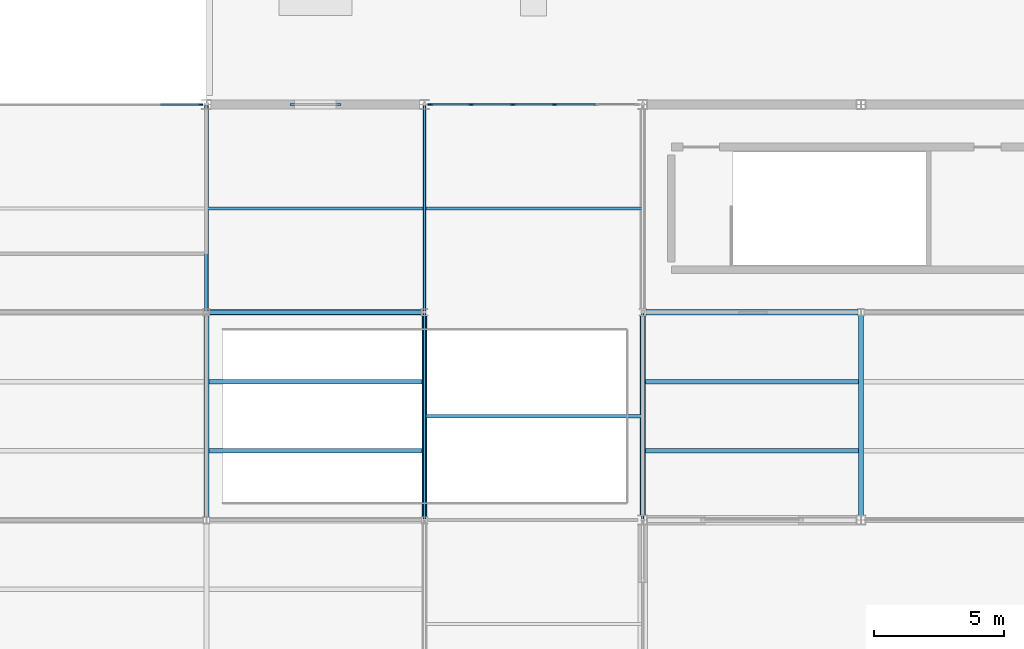
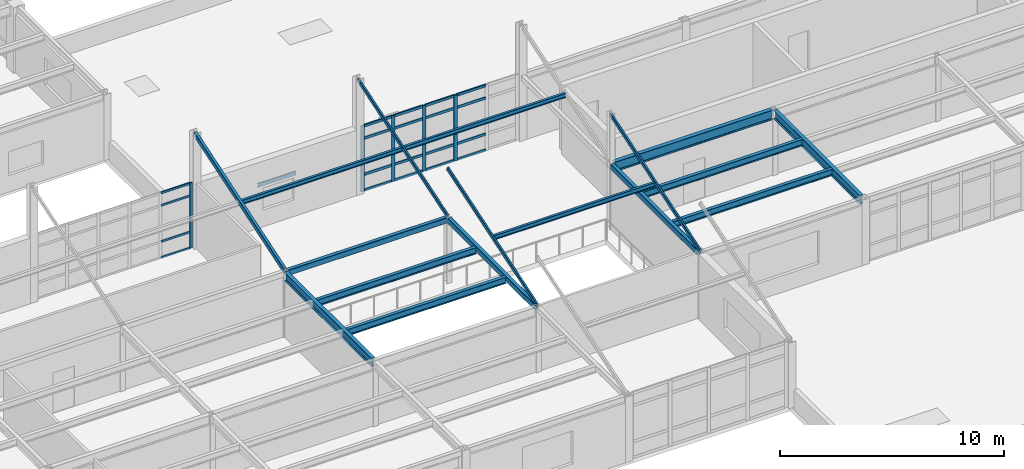
# One storey, part 15 of 96: 32 members, 11 beams, 2 elements without a shape of their own.
"""IFC4 building model written with IfcOpenShell, lengths in metres."""

import ifcopenshell
import ifcopenshell.guid

model = None  # the IFC model being written
_history = None  # IfcOwnerHistory: only IFC2X3 demands one
_inside = {}  # id of a spatial element -> (the spatial element, [elements in it])
_under = {}  # id of a project, library or spatial element -> (it, [spatial elements below it])
_declared = {}  # id of a project -> (the project, [libraries it declares])
_typed = {}  # id of a type object -> (the type object, [elements of that type])
_made_of = {}  # id of a material, layer set ... -> (it, [elements and type objects made of it])


def new_model(schema):
    """Start an empty IFC model of exactly this schema.

    Asked for "IFC4X3", IfcOpenShell would pick the latest addendum, in which some entities
    have other attributes; the version numbers below select the first issue.
    IFC2X3 requires an IfcOwnerHistory on every rooted entity: one is made here for all.
    """
    global model, _history
    if schema == "IFC4X3":
        model = ifcopenshell.file(schema_version=(4, 3, 0, 0))
    else:
        model = ifcopenshell.file(schema=schema)
    _inside.clear()
    _under.clear()
    _declared.clear()
    _typed.clear()
    _made_of.clear()
    _history = None
    if model.schema == "IFC2X3":
        org = make("IfcOrganization", Name="unknown")
        user = make(
            "IfcPersonAndOrganization",
            ThePerson=make("IfcPerson", FamilyName="unknown"),
            TheOrganization=org,
        )
        app = make(
            "IfcApplication",
            ApplicationDeveloper=org,
            Version="unknown",
            ApplicationFullName="unknown",
            ApplicationIdentifier="unknown",
        )
        _history = make(
            "IfcOwnerHistory",
            OwningUser=user,
            OwningApplication=app,
            ChangeAction="ADDED",
            CreationDate=0,
        )
    return model


def make(cls, **values):
    """One entity of the class cls with the attributes given. An attribute that is None is left unset."""
    return model.create_entity(
        cls, **{name: value for name, value in values.items() if value is not None}
    )


def rooted(cls, **values):
    """An entity with a GlobalId (a new one), such as an element, a storey or a relation."""
    return make(cls, GlobalId=ifcopenshell.guid.new(), OwnerHistory=_history, **values)


def si_unit(unit_type, name, prefix=None):
    """IfcSIUnit, for example si_unit("LENGTHUNIT", "METRE", prefix="MILLI")."""
    return make("IfcSIUnit", UnitType=unit_type, Prefix=prefix, Name=name)


def assignment(units):
    """IfcUnitAssignment: the units of a project."""
    return None if units is None else make("IfcUnitAssignment", Units=units)


def point(xyz):
    """IfcCartesianPoint."""
    return None if xyz is None else make("IfcCartesianPoint", Coordinates=xyz)


def direction(xyz):
    """IfcDirection."""
    return None if xyz is None else make("IfcDirection", DirectionRatios=xyz)


def frame(location, z_axis=None, x_axis=None):
    """IfcAxis2Placement3D, a coordinate frame: its origin and axes. An axis left out is left unset."""
    return make(
        "IfcAxis2Placement3D",
        Location=point(location),
        Axis=direction(z_axis),
        RefDirection=direction(x_axis),
    )


def frame_2d(location, x_axis=None):
    """IfcAxis2Placement2D, a coordinate frame in the plane: its origin and x axis."""
    return make(
        "IfcAxis2Placement2D", Location=point(location), RefDirection=direction(x_axis)
    )


def origin():
    """The frame at (0, 0, 0) with its axes left unset."""
    return frame((0.0, 0.0, 0.0))


def origin_2d():
    """The frame at (0, 0) in the plane with its x axis left unset."""
    return frame_2d((0.0, 0.0))


def place(relative_to, where):
    """IfcLocalPlacement: puts the frame where relative to a parent placement (None: the world)."""
    return make(
        "IfcLocalPlacement", PlacementRelTo=relative_to, RelativePlacement=where
    )


def context(
    kind, dimensions, precision=None, world=None, true_north=None, identifier=None
):
    """IfcGeometricRepresentationContext, for example the 3D "Model" context."""
    return make(
        "IfcGeometricRepresentationContext",
        ContextIdentifier=identifier,
        ContextType=kind,
        CoordinateSpaceDimension=dimensions,
        Precision=precision,
        WorldCoordinateSystem=world,
        TrueNorth=true_north,
    )


def subcontext(parent, identifier, kind, view, scale=None):
    """IfcGeometricRepresentationSubContext, for example "Body" below "Model"."""
    return make(
        "IfcGeometricRepresentationSubContext",
        ContextIdentifier=identifier,
        ContextType=kind,
        ParentContext=parent,
        TargetScale=scale,
        TargetView=view,
    )


def project(units=None, contexts=None):
    """IfcProject with its units and contexts."""
    return rooted(
        "IfcProject",
        Name="project",
        RepresentationContexts=contexts,
        UnitsInContext=assignment(units),
    )


def spatial(cls, under=None, at=None, **own):
    """A site, building, storey or space (cls), placed at a placement, below another one or the project."""
    s = rooted(cls, ObjectPlacement=at, **own)
    if under is not None:
        _under.setdefault(under.id(), (under, []))[1].append(s)
    return s


def profile(cls, at=None, kind="AREA", **sizes):
    """A parametric profile (cls). Its sizes go by their IFC names, for example OverallWidth=200.0."""
    return make(cls, ProfileType=kind, Position=at, **sizes)


def rectangle(**sizes):
    """IfcRectangleProfileDef."""
    return profile("IfcRectangleProfileDef", **sizes)


def hollow_rectangle(**sizes):
    """IfcRectangleHollowProfileDef."""
    return profile("IfcRectangleHollowProfileDef", **sizes)


def i_section(**sizes):
    """IfcIShapeProfileDef."""
    return profile("IfcIShapeProfileDef", **sizes)


def u_section(**sizes):
    """IfcUShapeProfileDef."""
    return profile("IfcUShapeProfileDef", **sizes)


def extrude(swept, where, along, depth):
    """IfcExtrudedAreaSolid: the profile swept, set in the frame where, extruded along a direction by depth."""
    return make(
        "IfcExtrudedAreaSolid",
        SweptArea=swept,
        Position=where,
        ExtrudedDirection=direction(along),
        Depth=depth,
    )


def shape(context_of_items, identifier, shape_type, items):
    """IfcShapeRepresentation: the items that make up one representation, for example the "Body"."""
    return make(
        "IfcShapeRepresentation",
        ContextOfItems=context_of_items,
        RepresentationIdentifier=identifier,
        RepresentationType=shape_type,
        Items=items,
    )


def material(Name=None, Category=None):
    """IfcMaterial."""
    return make("IfcMaterial", Name=Name, Category=Category)


def layer(
    of_material, thickness, ventilated=None, Name=None, Category=None, Priority=None
):
    """IfcMaterialLayer: one layer of a wall or slab, of a material (None: an air gap)."""
    return make(
        "IfcMaterialLayer",
        Material=of_material,
        LayerThickness=thickness,
        IsVentilated=ventilated,
        Name=Name,
        Category=Category,
        Priority=Priority,
    )


def layer_set(layers, Name=None):
    """IfcMaterialLayerSet."""
    return make("IfcMaterialLayerSet", MaterialLayers=layers, LayerSetName=Name)


def material_profile(
    of_material, cross_section, Name=None, Category=None, Priority=None
):
    """IfcMaterialProfile: a cross section and its material."""
    return make(
        "IfcMaterialProfile",
        Name=Name,
        Material=of_material,
        Profile=cross_section,
        Priority=Priority,
        Category=Category,
    )


def profile_set(profiles, Name=None, composite=None):
    """IfcMaterialProfileSet."""
    return make(
        "IfcMaterialProfileSet",
        Name=Name,
        MaterialProfiles=profiles,
        CompositeProfile=composite,
    )


def made_of(thing, what):
    """Note that an element or type object is made of a material, layer set ...; save() writes the relation."""
    if what is not None:
        _made_of.setdefault(what.id(), (what, []))[1].append(thing)
    return thing


def type_object(cls, material=None, **own):
    """A type object (cls), such as IfcWallType, which elements share."""
    return made_of(rooted(cls, **own), material)


def element(
    cls,
    number,
    at=None,
    inside=None,
    cuts=None,
    type_object=None,
    material=None,
    context=None,
    identifier="Body",
    shape_type=None,
    held_by="IfcProductDefinitionShape",
    body=None,
    shapes=None,
    **own,
):
    """One element of the class cls, such as IfcWall. Its Tag is "e" and its number.

    at: its placement. inside: the storey or other place that contains it. cuts: it is an
    opening in that element (IfcRelVoidsElement). A single representation is given by context,
    identifier, shape_type and body (its items); several are given by shapes. held_by: the class
    of the entity that holds the representations. save() writes the other relations.
    """
    e = rooted(cls, Tag="e%d" % number, ObjectPlacement=at, **own)
    if body is not None:
        shapes = [shape(context, identifier, shape_type, body)]
    if shapes is not None:
        e.Representation = make(held_by, Representations=shapes)
    if inside is not None:
        _inside.setdefault(inside.id(), (inside, []))[1].append(e)
    if cuts is not None:
        rooted(
            "IfcRelVoidsElement", RelatingBuildingElement=cuts, RelatedOpeningElement=e
        )
    if type_object is not None:
        _typed.setdefault(type_object.id(), (type_object, []))[1].append(e)
    return made_of(e, material)


def aggregate(whole, parts):
    """IfcRelAggregates: a whole, such as a stair, and the parts it consists of."""
    return rooted("IfcRelAggregates", RelatingObject=whole, RelatedObjects=parts)


def save(model, path):
    """Write the relations noted so far, then the file.

    IfcRelAggregates (storeys below a building ...), IfcRelContainedInSpatialStructure (elements
    in a storey), IfcRelDefinesByType, IfcRelAssociatesMaterial and IfcRelDeclares: one each for
    every whole, place, type object, material and project.
    """
    for whole, parts in _under.values():
        aggregate(whole, parts)
    for where, things in _inside.values():
        rooted(
            "IfcRelContainedInSpatialStructure",
            RelatedElements=things,
            RelatingStructure=where,
        )
    for kind, things in _typed.values():
        rooted("IfcRelDefinesByType", RelatedObjects=things, RelatingType=kind)
    for what, things in _made_of.values():
        rooted("IfcRelAssociatesMaterial", RelatedObjects=things, RelatingMaterial=what)
    for by, libraries in _declared.values():
        rooted("IfcRelDeclares", RelatingContext=by, RelatedDefinitions=libraries)
    model.write(path)


model = new_model("IFC4")

# Units and contexts
model_context = context("Model", 3, precision=1e-05, world=origin(), true_north=direction((0.0, 1.0)))
body_context = subcontext(model_context, "Body", "Model", "MODEL_VIEW")
ifc_project = project(units=[si_unit("LENGTHUNIT", "METRE"), si_unit("AREAUNIT", "SQUARE_METRE"), si_unit("VOLUMEUNIT", "CUBIC_METRE"), si_unit("PLANEANGLEUNIT", "RADIAN"), si_unit("MASSUNIT", "GRAM", prefix="KILO")], contexts=[model_context])

# Site, building, storey
site_placement = place(None, origin())
site = spatial("IfcSite", under=ifc_project, at=site_placement, CompositionType="ELEMENT")
building_placement = place(site_placement, origin())
building = spatial("IfcBuilding", under=site, at=building_placement, Name="Kranzveld Transit Interchange", CompositionType="ELEMENT")
storey_placement = place(building_placement, frame((0.0, 0.0, 9.52001953125)))
storey = spatial("IfcBuildingStorey", under=building, at=storey_placement, Name="L02", CompositionType="ELEMENT", Elevation=9.52001953125)

# Beams
ifc_material_1 = material(Name="Steel S355JR", Category="steel")
ifc_material_profile_1 = material_profile(ifc_material_1, i_section(OverallWidth=0.19189453125, OverallDepth=0.46337890625, WebThickness=0.010498046875, FlangeThickness=0.017578125, FilletRadius=0.01025390625, at=origin_2d()), Name="UB 457x191x89")
ifc_profile_set_1 = profile_set([ifc_material_profile_1], Name="Steel S355JR")
beam_type_1 = type_object("IfcBeamType", Name="Beam Steel UB 457x191x89 S355JR", PredefinedType="BEAM", material=ifc_profile_set_1)
beam_1_placement = place(storey_placement, frame((33.60009765625, 24.123291015625, 3.33837890625), z_axis=(0.0, 1.0, 0.0), x_axis=(-1.0, 0.0, 0.0)))
element("IfcBeam", 1, at=beam_1_placement, inside=storey, type_object=beam_type_1, Name="L02 Girder 05/D-E", PredefinedType="BEAM", context=body_context, shape_type="SweptSolid", body=[
    extrude(i_section(OverallWidth=0.19189453125, OverallDepth=0.46337890625, WebThickness=0.010498046875, FlangeThickness=0.017578125, FilletRadius=0.01025390625, at=origin_2d()), origin(), (0.0, 0.0, 1.0), 7.75341796875),
])
beam_2_placement = place(storey_placement, frame((58.800048828125, 24.17724609375, 3.33837890625), z_axis=(0.0, 1.0, 0.0), x_axis=(-1.0, 0.0, 0.0)))
element("IfcBeam", 2, at=beam_2_placement, inside=storey, type_object=beam_type_1, Name="L02 Girder 08/D-E", PredefinedType="BEAM", context=body_context, shape_type="SweptSolid", body=[
    extrude(i_section(OverallWidth=0.19189453125, OverallDepth=0.46337890625, WebThickness=0.010498046875, FlangeThickness=0.017578125, FilletRadius=0.01025390625, at=origin_2d()), origin(), (0.0, 0.0, 1.0), 7.699462890625),
])

# Curtain wall, member
ifc_material_2 = material(Name="Bronze-anodised thermally broken aluminium", Category="aluminium")
ifc_layer_1 = layer(ifc_material_2, 0.14990234375)
ifc_layer_set_1 = layer_set([ifc_layer_1], Name="Bronze-anodised thermally broken aluminium")
curtain_wall_type_1 = type_object("IfcCurtainWallType", Name="Public Passage Clerestory Screen CW-4", PredefinedType="USERDEFINED", material=ifc_layer_set_1)
curtain_wall_1_placement = place(storey_placement, origin())
curtain_wall_1 = element("IfcCurtainWall", 3, at=curtain_wall_1_placement, inside=storey, type_object=curtain_wall_type_1, Name="L02 Curtain Wall 04/F-05/F", ObjectType="CURTAIN WALL", PredefinedType="USERDEFINED")
ifc_material_3 = material(Name="Bronze-anodised thermally broken aluminium", Category="aluminium")
ifc_material_profile_2 = material_profile(ifc_material_3, rectangle(XDim=0.06005859375, YDim=0.14990234375, at=origin_2d()), Name="ALU MULLION 60x150")
ifc_profile_set_2 = profile_set([ifc_material_profile_2], Name="Bronze-anodised thermally broken aluminium")
member_type_1 = type_object("IfcMemberType", Name="Curtain Wall Mullion 60x150 Alu", PredefinedType="MULLION", material=ifc_profile_set_2)
member_1_placement = place(storey_placement, frame((33.3828125, 40.0, 0.0), z_axis=(0.0, 0.0, 1.0), x_axis=(0.0, 1.0, 0.0)))
member_1 = element("IfcMember", 4, at=member_1_placement, type_object=member_type_1, Name="CW-4 mullion 6", PredefinedType="MULLION", context=body_context, shape_type="SweptSolid", body=[
    extrude(rectangle(XDim=0.06005859375, YDim=0.14990234375, at=origin_2d()), origin(), (0.0, 0.0, 1.0), 3.570068359375),
])

# Curtain wall, members
ifc_material_4 = material(Name="Bronze-anodised thermally broken aluminium", Category="aluminium")
ifc_layer_2 = layer(ifc_material_4, 0.18505859375)
ifc_layer_set_2 = layer_set([ifc_layer_2], Name="Bronze-anodised thermally broken aluminium")
curtain_wall_type_2 = type_object("IfcCurtainWallType", Name="Control Crown Observation Facade CW-5", PredefinedType="USERDEFINED", material=ifc_layer_set_2)
curtain_wall_2_placement = place(storey_placement, origin())
curtain_wall_2 = element("IfcCurtainWall", 5, at=curtain_wall_2_placement, inside=storey, type_object=curtain_wall_type_2, Name="L02 Curtain Wall 06/F-07/F", ObjectType="CURTAIN WALL", PredefinedType="USERDEFINED")
ifc_material_5 = material(Name="Bronze-anodised thermally broken aluminium", Category="aluminium")
ifc_material_profile_3 = material_profile(ifc_material_5, rectangle(XDim=0.06494140625, YDim=0.179931640625, at=origin_2d()), Name="ALU MULLION 65x180")
ifc_profile_set_3 = profile_set([ifc_material_profile_3], Name="Bronze-anodised thermally broken aluminium")
member_type_2 = type_object("IfcMemberType", Name="Curtain Wall Mullion 65x180 Alu", PredefinedType="MULLION", material=ifc_profile_set_3)
member_2_placement = place(storey_placement, frame((42.2197265625, 40.0, 0.0), z_axis=(0.0, 0.0, 1.0), x_axis=(0.0, 1.0, 0.0)))
member_2 = element("IfcMember", 6, at=member_2_placement, type_object=member_type_2, Name="CW-5 mullion 1", PredefinedType="MULLION", context=body_context, shape_type="SweptSolid", body=[
    extrude(rectangle(XDim=0.06494140625, YDim=0.179931640625, at=origin_2d()), origin(), (0.0, 0.0, 1.0), 3.570068359375),
])
member_3_placement = place(storey_placement, frame((43.79248046875, 40.0, 0.0), z_axis=(0.0, 0.0, 1.0), x_axis=(0.0, 1.0, 0.0)))
member_3 = element("IfcMember", 7, at=member_3_placement, type_object=member_type_2, Name="CW-5 mullion 2", PredefinedType="MULLION", context=body_context, shape_type="SweptSolid", body=[
    extrude(rectangle(XDim=0.06494140625, YDim=0.179931640625, at=origin_2d()), origin(), (0.0, 0.0, 1.0), 3.570068359375),
])
member_4_placement = place(storey_placement, frame((45.3974609375, 40.0, 0.0), z_axis=(0.0, 0.0, 1.0), x_axis=(0.0, 1.0, 0.0)))
member_4 = element("IfcMember", 8, at=member_4_placement, type_object=member_type_2, Name="CW-5 mullion 3", PredefinedType="MULLION", context=body_context, shape_type="SweptSolid", body=[
    extrude(rectangle(XDim=0.06494140625, YDim=0.179931640625, at=origin_2d()), origin(), (0.0, 0.0, 1.0), 3.570068359375),
])
member_5_placement = place(storey_placement, frame((47.00244140625, 40.0, 0.0), z_axis=(0.0, 0.0, 1.0), x_axis=(0.0, 1.0, 0.0)))
member_5 = element("IfcMember", 9, at=member_5_placement, type_object=member_type_2, Name="CW-5 mullion 4", PredefinedType="MULLION", context=body_context, shape_type="SweptSolid", body=[
    extrude(rectangle(XDim=0.06494140625, YDim=0.179931640625, at=origin_2d()), origin(), (0.0, 0.0, 1.0), 3.570068359375),
])

# Member
ifc_material_6 = material(Name="Bronze-anodised thermally broken aluminium", Category="aluminium")
ifc_material_profile_4 = material_profile(ifc_material_6, rectangle(XDim=0.06005859375, YDim=0.110107421875, at=origin_2d()), Name="ALU TRANSOM 60x110")
ifc_profile_set_4 = profile_set([ifc_material_profile_4], Name="Bronze-anodised thermally broken aluminium")
member_type_3 = type_object("IfcMemberType", Name="Curtain Wall Transom 60x110 Alu", PredefinedType="USERDEFINED", material=ifc_profile_set_4)
member_6_placement = place(storey_placement, frame((31.837646484375, 40.0, 0.030029296875), z_axis=(1.0, 0.0, 0.0), x_axis=(0.0, 1.0, 0.0)))
member_6 = element("IfcMember", 10, at=member_6_placement, type_object=member_type_3, Name="CW-4 transom 5.1", ObjectType="TRANSOM", PredefinedType="USERDEFINED", context=body_context, shape_type="SweptSolid", body=[
    extrude(rectangle(XDim=0.06005859375, YDim=0.110107421875, at=origin_2d()), origin(), (0.0, 0.0, 1.0), 1.51513671875),
])

member_7_placement = place(storey_placement, frame((31.837646484375, 40.0, 0.89990234375), z_axis=(1.0, 0.0, 0.0), x_axis=(0.0, 1.0, 0.0)))
member_7 = element("IfcMember", 11, at=member_7_placement, type_object=member_type_3, Name="CW-4 transom 5.2", ObjectType="TRANSOM", PredefinedType="USERDEFINED", context=body_context, shape_type="SweptSolid", body=[
    extrude(rectangle(XDim=0.06005859375, YDim=0.110107421875, at=origin_2d()), origin(), (0.0, 0.0, 1.0), 1.51513671875),
])

member_8_placement = place(storey_placement, frame((31.837646484375, 40.0, 2.869873046875), z_axis=(1.0, 0.0, 0.0), x_axis=(0.0, 1.0, 0.0)))
member_8 = element("IfcMember", 12, at=member_8_placement, type_object=member_type_3, Name="CW-4 transom 5.3", ObjectType="TRANSOM", PredefinedType="USERDEFINED", context=body_context, shape_type="SweptSolid", body=[
    extrude(rectangle(XDim=0.06005859375, YDim=0.110107421875, at=origin_2d()), origin(), (0.0, 0.0, 1.0), 1.51513671875),
])

member_9_placement = place(storey_placement, frame((31.837646484375, 40.0, 3.5400390625), z_axis=(1.0, 0.0, 0.0), x_axis=(0.0, 1.0, 0.0)))
member_9 = element("IfcMember", 13, at=member_9_placement, type_object=member_type_3, Name="CW-4 transom 5.4", ObjectType="TRANSOM", PredefinedType="USERDEFINED", context=body_context, shape_type="SweptSolid", body=[
    extrude(rectangle(XDim=0.06005859375, YDim=0.110107421875, at=origin_2d()), origin(), (0.0, 0.0, 1.0), 1.51513671875),
])

aggregate(curtain_wall_1, [member_1, member_6, member_7, member_8, member_9])

ifc_material_7 = material(Name="Bronze-anodised thermally broken aluminium", Category="aluminium")
ifc_material_profile_5 = material_profile(ifc_material_7, rectangle(XDim=0.06494140625, YDim=0.139892578125, at=origin_2d()), Name="ALU TRANSOM 65x140")
ifc_profile_set_5 = profile_set([ifc_material_profile_5], Name="Bronze-anodised thermally broken aluminium")
member_type_4 = type_object("IfcMemberType", Name="Curtain Wall Transom 65x140 Alu", PredefinedType="USERDEFINED", material=ifc_profile_set_5)
member_10_placement = place(storey_placement, frame((42.252197265625, 40.0, 0.032470703125), z_axis=(1.0, 0.0, 0.0), x_axis=(0.0, 1.0, 0.0)))
member_10 = element("IfcMember", 14, at=member_10_placement, type_object=member_type_4, Name="CW-5 transom 1.1", ObjectType="TRANSOM", PredefinedType="USERDEFINED", context=body_context, shape_type="SweptSolid", body=[
    extrude(rectangle(XDim=0.06494140625, YDim=0.139892578125, at=origin_2d()), origin(), (0.0, 0.0, 1.0), 1.507568359375),
])

member_11_placement = place(storey_placement, frame((42.252197265625, 40.0, 0.89990234375), z_axis=(1.0, 0.0, 0.0), x_axis=(0.0, 1.0, 0.0)))
member_11 = element("IfcMember", 15, at=member_11_placement, type_object=member_type_4, Name="CW-5 transom 1.2", ObjectType="TRANSOM", PredefinedType="USERDEFINED", context=body_context, shape_type="SweptSolid", body=[
    extrude(rectangle(XDim=0.06494140625, YDim=0.139892578125, at=origin_2d()), origin(), (0.0, 0.0, 1.0), 1.507568359375),
])

member_12_placement = place(storey_placement, frame((42.252197265625, 40.0, 2.869873046875), z_axis=(1.0, 0.0, 0.0), x_axis=(0.0, 1.0, 0.0)))
member_12 = element("IfcMember", 16, at=member_12_placement, type_object=member_type_4, Name="CW-5 transom 1.3", ObjectType="TRANSOM", PredefinedType="USERDEFINED", context=body_context, shape_type="SweptSolid", body=[
    extrude(rectangle(XDim=0.06494140625, YDim=0.139892578125, at=origin_2d()), origin(), (0.0, 0.0, 1.0), 1.507568359375),
])

member_13_placement = place(storey_placement, frame((42.252197265625, 40.0, 3.53759765625), z_axis=(1.0, 0.0, 0.0), x_axis=(0.0, 1.0, 0.0)))
member_13 = element("IfcMember", 17, at=member_13_placement, type_object=member_type_4, Name="CW-5 transom 1.4", ObjectType="TRANSOM", PredefinedType="USERDEFINED", context=body_context, shape_type="SweptSolid", body=[
    extrude(rectangle(XDim=0.06494140625, YDim=0.139892578125, at=origin_2d()), origin(), (0.0, 0.0, 1.0), 1.507568359375),
])

member_14_placement = place(storey_placement, frame((43.824951171875, 40.0, 0.032470703125), z_axis=(1.0, 0.0, 0.0), x_axis=(0.0, 1.0, 0.0)))
member_14 = element("IfcMember", 18, at=member_14_placement, type_object=member_type_4, Name="CW-5 transom 2.1", ObjectType="TRANSOM", PredefinedType="USERDEFINED", context=body_context, shape_type="SweptSolid", body=[
    extrude(rectangle(XDim=0.06494140625, YDim=0.139892578125, at=origin_2d()), origin(), (0.0, 0.0, 1.0), 1.5400390625),
])

member_15_placement = place(storey_placement, frame((43.824951171875, 40.0, 0.89990234375), z_axis=(1.0, 0.0, 0.0), x_axis=(0.0, 1.0, 0.0)))
member_15 = element("IfcMember", 19, at=member_15_placement, type_object=member_type_4, Name="CW-5 transom 2.2", ObjectType="TRANSOM", PredefinedType="USERDEFINED", context=body_context, shape_type="SweptSolid", body=[
    extrude(rectangle(XDim=0.06494140625, YDim=0.139892578125, at=origin_2d()), origin(), (0.0, 0.0, 1.0), 1.5400390625),
])

member_16_placement = place(storey_placement, frame((43.824951171875, 40.0, 2.869873046875), z_axis=(1.0, 0.0, 0.0), x_axis=(0.0, 1.0, 0.0)))
member_16 = element("IfcMember", 20, at=member_16_placement, type_object=member_type_4, Name="CW-5 transom 2.3", ObjectType="TRANSOM", PredefinedType="USERDEFINED", context=body_context, shape_type="SweptSolid", body=[
    extrude(rectangle(XDim=0.06494140625, YDim=0.139892578125, at=origin_2d()), origin(), (0.0, 0.0, 1.0), 1.5400390625),
])

member_17_placement = place(storey_placement, frame((43.824951171875, 40.0, 3.53759765625), z_axis=(1.0, 0.0, 0.0), x_axis=(0.0, 1.0, 0.0)))
member_17 = element("IfcMember", 21, at=member_17_placement, type_object=member_type_4, Name="CW-5 transom 2.4", ObjectType="TRANSOM", PredefinedType="USERDEFINED", context=body_context, shape_type="SweptSolid", body=[
    extrude(rectangle(XDim=0.06494140625, YDim=0.139892578125, at=origin_2d()), origin(), (0.0, 0.0, 1.0), 1.5400390625),
])

member_18_placement = place(storey_placement, frame((45.429931640625, 40.0, 0.032470703125), z_axis=(1.0, 0.0, 0.0), x_axis=(0.0, 1.0, 0.0)))
member_18 = element("IfcMember", 22, at=member_18_placement, type_object=member_type_4, Name="CW-5 transom 3.1", ObjectType="TRANSOM", PredefinedType="USERDEFINED", context=body_context, shape_type="SweptSolid", body=[
    extrude(rectangle(XDim=0.06494140625, YDim=0.139892578125, at=origin_2d()), origin(), (0.0, 0.0, 1.0), 1.5400390625),
])

member_19_placement = place(storey_placement, frame((45.429931640625, 40.0, 0.89990234375), z_axis=(1.0, 0.0, 0.0), x_axis=(0.0, 1.0, 0.0)))
member_19 = element("IfcMember", 23, at=member_19_placement, type_object=member_type_4, Name="CW-5 transom 3.2", ObjectType="TRANSOM", PredefinedType="USERDEFINED", context=body_context, shape_type="SweptSolid", body=[
    extrude(rectangle(XDim=0.06494140625, YDim=0.139892578125, at=origin_2d()), origin(), (0.0, 0.0, 1.0), 1.5400390625),
])

member_20_placement = place(storey_placement, frame((45.429931640625, 40.0, 2.869873046875), z_axis=(1.0, 0.0, 0.0), x_axis=(0.0, 1.0, 0.0)))
member_20 = element("IfcMember", 24, at=member_20_placement, type_object=member_type_4, Name="CW-5 transom 3.3", ObjectType="TRANSOM", PredefinedType="USERDEFINED", context=body_context, shape_type="SweptSolid", body=[
    extrude(rectangle(XDim=0.06494140625, YDim=0.139892578125, at=origin_2d()), origin(), (0.0, 0.0, 1.0), 1.5400390625),
])

member_21_placement = place(storey_placement, frame((45.429931640625, 40.0, 3.53759765625), z_axis=(1.0, 0.0, 0.0), x_axis=(0.0, 1.0, 0.0)))
member_21 = element("IfcMember", 25, at=member_21_placement, type_object=member_type_4, Name="CW-5 transom 3.4", ObjectType="TRANSOM", PredefinedType="USERDEFINED", context=body_context, shape_type="SweptSolid", body=[
    extrude(rectangle(XDim=0.06494140625, YDim=0.139892578125, at=origin_2d()), origin(), (0.0, 0.0, 1.0), 1.5400390625),
])

member_22_placement = place(storey_placement, frame((47.03515625, 40.0, 0.032470703125), z_axis=(1.0, 0.0, 0.0), x_axis=(0.0, 1.0, 0.0)))
member_22 = element("IfcMember", 26, at=member_22_placement, type_object=member_type_4, Name="CW-5 transom 4.1", ObjectType="TRANSOM", PredefinedType="USERDEFINED", context=body_context, shape_type="SweptSolid", body=[
    extrude(rectangle(XDim=0.06494140625, YDim=0.139892578125, at=origin_2d()), origin(), (0.0, 0.0, 1.0), 1.5400390625),
])

member_23_placement = place(storey_placement, frame((47.03515625, 40.0, 0.89990234375), z_axis=(1.0, 0.0, 0.0), x_axis=(0.0, 1.0, 0.0)))
member_23 = element("IfcMember", 27, at=member_23_placement, type_object=member_type_4, Name="CW-5 transom 4.2", ObjectType="TRANSOM", PredefinedType="USERDEFINED", context=body_context, shape_type="SweptSolid", body=[
    extrude(rectangle(XDim=0.06494140625, YDim=0.139892578125, at=origin_2d()), origin(), (0.0, 0.0, 1.0), 1.5400390625),
])

member_24_placement = place(storey_placement, frame((47.03515625, 40.0, 2.869873046875), z_axis=(1.0, 0.0, 0.0), x_axis=(0.0, 1.0, 0.0)))
member_24 = element("IfcMember", 28, at=member_24_placement, type_object=member_type_4, Name="CW-5 transom 4.3", ObjectType="TRANSOM", PredefinedType="USERDEFINED", context=body_context, shape_type="SweptSolid", body=[
    extrude(rectangle(XDim=0.06494140625, YDim=0.139892578125, at=origin_2d()), origin(), (0.0, 0.0, 1.0), 1.5400390625),
])

member_25_placement = place(storey_placement, frame((47.03515625, 40.0, 3.53759765625), z_axis=(1.0, 0.0, 0.0), x_axis=(0.0, 1.0, 0.0)))
member_25 = element("IfcMember", 29, at=member_25_placement, type_object=member_type_4, Name="CW-5 transom 4.4", ObjectType="TRANSOM", PredefinedType="USERDEFINED", context=body_context, shape_type="SweptSolid", body=[
    extrude(rectangle(XDim=0.06494140625, YDim=0.139892578125, at=origin_2d()), origin(), (0.0, 0.0, 1.0), 1.5400390625),
])

aggregate(curtain_wall_2, [member_2, member_3, member_4, member_5, member_10, member_11, member_12, member_13, member_14, member_15, member_16, member_17, member_18, member_19, member_20, member_21, member_22, member_23, member_24, member_25])

# Beams
ifc_material_8 = material(Name="Steel S355JR", Category="steel")
ifc_material_profile_6 = material_profile(ifc_material_8, hollow_rectangle(XDim=0.199951171875, YDim=0.300048828125, WallThickness=0.010009765625, InnerFilletRadius=0.014892578125, OuterFilletRadius=0.02490234375, at=origin_2d()), Name="RHS 300x200x10")
ifc_profile_set_6 = profile_set([ifc_material_profile_6], Name="Steel S355JR")
beam_type_2 = type_object("IfcBeamType", Name="Edge Spandrel RHS 300x200x10 S355JR", PredefinedType="SPANDREL", material=ifc_profile_set_6)
beam_3_placement = place(storey_placement, frame((33.719482421875, 32.0, 3.419921875), z_axis=(1.0, 0.0, 0.0), x_axis=(0.0, 1.0, 0.0)))
element("IfcBeam", 30, at=beam_3_placement, inside=storey, type_object=beam_type_2, Name="L02 Girder 05-06/E", PredefinedType="SPANDREL", context=body_context, shape_type="SweptSolid", body=[
    extrude(hollow_rectangle(XDim=0.199951171875, YDim=0.300048828125, WallThickness=0.010009765625, InnerFilletRadius=0.014892578125, OuterFilletRadius=0.02490234375, at=origin_2d()), origin(), (0.0, 0.0, 1.0), 8.1611328125),
])
beam_4_placement = place(storey_placement, frame((42.0, 24.123291015625, 3.419921875), z_axis=(0.0, 1.0, 0.0), x_axis=(-1.0, 0.0, 0.0)))
element("IfcBeam", 31, at=beam_4_placement, inside=storey, type_object=beam_type_2, Name="L02 Girder 06/D-E", PredefinedType="SPANDREL", context=body_context, shape_type="SweptSolid", body=[
    extrude(hollow_rectangle(XDim=0.199951171875, YDim=0.300048828125, WallThickness=0.010009765625, InnerFilletRadius=0.014892578125, OuterFilletRadius=0.02490234375, at=origin_2d()), origin(), (0.0, 0.0, 1.0), 7.75341796875),
])
beam_5_placement = place(storey_placement, frame((50.39990234375, 24.17724609375, 3.419921875), z_axis=(0.0, 1.0, 0.0), x_axis=(-1.0, 0.0, 0.0)))
element("IfcBeam", 32, at=beam_5_placement, inside=storey, type_object=beam_type_2, Name="L02 Girder 07/D-E", PredefinedType="SPANDREL", context=body_context, shape_type="SweptSolid", body=[
    extrude(hollow_rectangle(XDim=0.199951171875, YDim=0.300048828125, WallThickness=0.010009765625, InnerFilletRadius=0.014892578125, OuterFilletRadius=0.02490234375, at=origin_2d()), origin(), (0.0, 0.0, 1.0), 7.699462890625),
])
ifc_material_9 = material(Name="Steel S355JR", Category="steel")
ifc_material_profile_7 = material_profile(ifc_material_9, i_section(OverallWidth=0.171142578125, OverallDepth=0.351318359375, WebThickness=0.007080078125, FlangeThickness=0.009765625, FilletRadius=0.01025390625, at=origin_2d()), Name="UB 356x171x45")
ifc_profile_set_7 = profile_set([ifc_material_profile_7], Name="Steel S355JR")
beam_type_3 = type_object("IfcBeamType", Name="Floor Joist UB 356x171x45 S355JR", PredefinedType="JOIST", material=ifc_profile_set_7)
for number, where, z_axis, x_axis, name in (
    (33, (33.697998046875, 26.666748046875, 3.394287109375), (1.0, 0.0, 0.0), (0.0, 1.0, 0.0), "L02 Secondary Joist 05-06/D.1"),
    (34, (33.697998046875, 29.333251953125, 3.394287109375), (1.0, 0.0, 0.0), (0.0, 1.0, 0.0), "L02 Secondary Joist 05-06/D.2"),
):
    element("IfcBeam", number, at=place(storey_placement, frame(where, z_axis=z_axis, x_axis=x_axis)), inside=storey, type_object=beam_type_3, Name=name, PredefinedType="JOIST", context=body_context, shape_type="SweptSolid", body=[
        extrude(i_section(OverallWidth=0.171142578125, OverallDepth=0.351318359375, WebThickness=0.007080078125, FlangeThickness=0.009765625, FilletRadius=0.01025390625, at=origin_2d()), origin(), (0.0, 0.0, 1.0), 8.199951171875),
    ])
for number, where, z_axis, x_axis, name in (
    (35, (50.501953125, 26.666748046875, 3.394287109375), (1.0, 0.0, 0.0), (0.0, 1.0, 0.0), "L02 Secondary Joist 07-08/D.1"),
    (36, (50.501953125, 29.333251953125, 3.394287109375), (1.0, 0.0, 0.0), (0.0, 1.0, 0.0), "L02 Secondary Joist 07-08/D.2"),
):
    element("IfcBeam", number, at=place(storey_placement, frame(where, z_axis=z_axis, x_axis=x_axis)), inside=storey, type_object=beam_type_3, Name=name, PredefinedType="JOIST", context=body_context, shape_type="SweptSolid", body=[
        extrude(i_section(OverallWidth=0.171142578125, OverallDepth=0.351318359375, WebThickness=0.007080078125, FlangeThickness=0.009765625, FilletRadius=0.01025390625, at=origin_2d()), origin(), (0.0, 0.0, 1.0), 8.2001953125),
    ])
ifc_material_10 = material(Name="Steel S355JR", Category="steel")
ifc_material_profile_8 = material_profile(ifc_material_10, i_section(OverallWidth=0.209228515625, OverallDepth=0.533203125, WebThickness=0.010009765625, FlangeThickness=0.015625, FilletRadius=0.0126953125, at=origin_2d()), Name="UB 533x210x92")
ifc_profile_set_8 = profile_set([ifc_material_profile_8], Name="Steel S355JR")
beam_type_4 = type_object("IfcBeamType", Name="Girder Steel UB 533x210x92 S355JR", PredefinedType="BEAM", material=ifc_profile_set_8)
beam_6_placement = place(storey_placement, frame((50.519287109375, 32.0, 3.303466796875), z_axis=(1.0, 0.0, 0.0), x_axis=(0.0, 1.0, 0.0)))
element("IfcBeam", 37, at=beam_6_placement, inside=storey, type_object=beam_type_4, Name="L02 Girder 07-08/E", PredefinedType="BEAM", context=body_context, shape_type="SweptSolid", body=[
    extrude(i_section(OverallWidth=0.209228515625, OverallDepth=0.533203125, WebThickness=0.010009765625, FlangeThickness=0.015625, FilletRadius=0.0126953125, at=origin_2d()), origin(), (0.0, 0.0, 1.0), 8.161376953125),
])
ifc_material_11 = material(Name="Steel S355JR", Category="steel")
ifc_material_profile_9 = material_profile(ifc_material_11, u_section(Depth=0.199951171875, FlangeWidth=0.074951171875, WebThickness=0.006103515625, FlangeThickness=0.012451171875, FilletRadius=0.011962890625, at=origin_2d()), Name="PFC 200x75x23")
ifc_profile_set_9 = profile_set([ifc_material_profile_9], Name="Steel S355JR")
beam_type_5 = type_object("IfcBeamType", Name="Masonry Lintel PFC 200x75x23 S355JR", PredefinedType="LINTEL", material=ifc_profile_set_9)
beam_7_placement = place(storey_placement, frame((36.820068359375, 40.0, 2.205078125), z_axis=(1.0, 0.0, 0.0), x_axis=(0.0, 1.0, 0.0)))
element("IfcBeam", 38, at=beam_7_placement, inside=storey, type_object=beam_type_5, Name="L02 Window Lintel 120", PredefinedType="LINTEL", context=body_context, shape_type="SweptSolid", body=[
    extrude(u_section(Depth=0.199951171875, FlangeWidth=0.074951171875, WebThickness=0.006103515625, FlangeThickness=0.012451171875, FilletRadius=0.011962890625, at=origin_2d()), origin(), (0.0, 0.0, 1.0), 1.9599609375),
])

# Members
ifc_material_12 = material(Name="Steel S355JR", Category="steel")
ifc_material_profile_10 = material_profile(ifc_material_12, i_section(OverallWidth=0.1201171875, OverallDepth=0.239990234375, WebThickness=0.006103515625, FlangeThickness=0.009765625, FilletRadius=0.014892578125, at=origin_2d()), Name="IPE 240")
ifc_profile_set_10 = profile_set([ifc_material_profile_10], Name="Steel S355JR")
member_type_5 = type_object("IfcMemberType", Name="Roof Purlin IPE 240 S355JR", PredefinedType="PURLIN", material=ifc_profile_set_10)
for number, where, z_axis, x_axis, name in (
    (39, (33.60009765625, 36.0, 4.820068359375), (1.0, 0.0, 0.0), (0.0, 1.0, 0.0), "Sawtooth Roof Purlin 05/E"),
    (40, (42.0, 28.0, 4.820068359375), (1.0, 0.0, 0.0), (0.0, 1.0, 0.0), "Sawtooth Roof Purlin 06/D"),
    (41, (42.0, 36.0, 4.820068359375), (1.0, 0.0, 0.0), (0.0, 1.0, 0.0), "Sawtooth Roof Purlin 06/E"),
):
    element("IfcMember", number, at=place(storey_placement, frame(where, z_axis=z_axis, x_axis=x_axis)), inside=storey, type_object=member_type_5, Name=name, PredefinedType="PURLIN", context=body_context, shape_type="SweptSolid", body=[
        extrude(i_section(OverallWidth=0.1201171875, OverallDepth=0.239990234375, WebThickness=0.006103515625, FlangeThickness=0.009765625, FilletRadius=0.014892578125, at=origin_2d()), origin(), (0.0, 0.0, 1.0), 8.39990234375),
    ])
ifc_material_13 = material(Name="Steel S355JR", Category="steel")
ifc_material_profile_11 = material_profile(ifc_material_13, hollow_rectangle(XDim=0.10009765625, YDim=0.199951171875, WallThickness=0.008056640625, InnerFilletRadius=0.011962890625, OuterFilletRadius=0.02001953125, at=origin_2d()), Name="RHS 200x100x8")
ifc_profile_set_11 = profile_set([ifc_material_profile_11], Name="Steel S355JR")
member_type_6 = type_object("IfcMemberType", Name="Truss Chord RHS 200x100x8 S355JR", PredefinedType="CHORD", material=ifc_profile_set_11)
for number, where, z_axis, x_axis, name in (
    (42, (42.0, 24.0, 3.56005859375), (0.0, 0.951039187484, 0.309070321885), (-1.0, 0.0, 0.0), "Sawtooth Rafter Chord 06/D"),
    (43, (50.39990234375, 24.0, 3.56005859375), (0.0, 0.951039187484, 0.309070321885), (-1.0, 0.0, 0.0), "Sawtooth Rafter Chord 07/D"),
    (44, (42.0, 32.0, 3.56005859375), (0.0, 0.951039187484, 0.309070321885), (-1.0, 0.0, 0.0), "Sawtooth Rafter Chord 06/E"),
):
    element("IfcMember", number, at=place(storey_placement, frame(where, z_axis=z_axis, x_axis=x_axis)), inside=storey, type_object=member_type_6, Name=name, PredefinedType="CHORD", context=body_context, shape_type="SweptSolid", body=[
        extrude(hollow_rectangle(XDim=0.10009765625, YDim=0.199951171875, WallThickness=0.008056640625, InnerFilletRadius=0.011962890625, OuterFilletRadius=0.02001953125, at=origin_2d()), origin(), (0.0, 0.0, 1.0), 8.411865234375),
    ])
ifc_material_14 = material(Name="Steel S355JR", Category="steel")
ifc_material_profile_12 = material_profile(ifc_material_14, hollow_rectangle(XDim=0.14990234375, YDim=0.25, WallThickness=0.008056640625, InnerFilletRadius=0.011962890625, OuterFilletRadius=0.02001953125, at=origin_2d()), Name="RHS 250x150x8")
ifc_profile_set_12 = profile_set([ifc_material_profile_12], Name="Steel S355JR")
member_type_7 = type_object("IfcMemberType", Name="Truss Chord RHS 250x150x8 S355JR", PredefinedType="CHORD", material=ifc_profile_set_12)
member_26_placement = place(storey_placement, frame((33.60009765625, 32.0, 3.56005859375), z_axis=(0.0, 0.951039187484, 0.309070321885), x_axis=(-1.0, 0.0, 0.0)))
element("IfcMember", 45, at=member_26_placement, inside=storey, type_object=member_type_7, Name="Sawtooth Rafter Chord 05/E", PredefinedType="CHORD", context=body_context, shape_type="SweptSolid", body=[
    extrude(hollow_rectangle(XDim=0.14990234375, YDim=0.25, WallThickness=0.008056640625, InnerFilletRadius=0.011962890625, OuterFilletRadius=0.02001953125, at=origin_2d()), origin(), (0.0, 0.0, 1.0), 8.411865234375),
])

save(model, "model.ifc")
